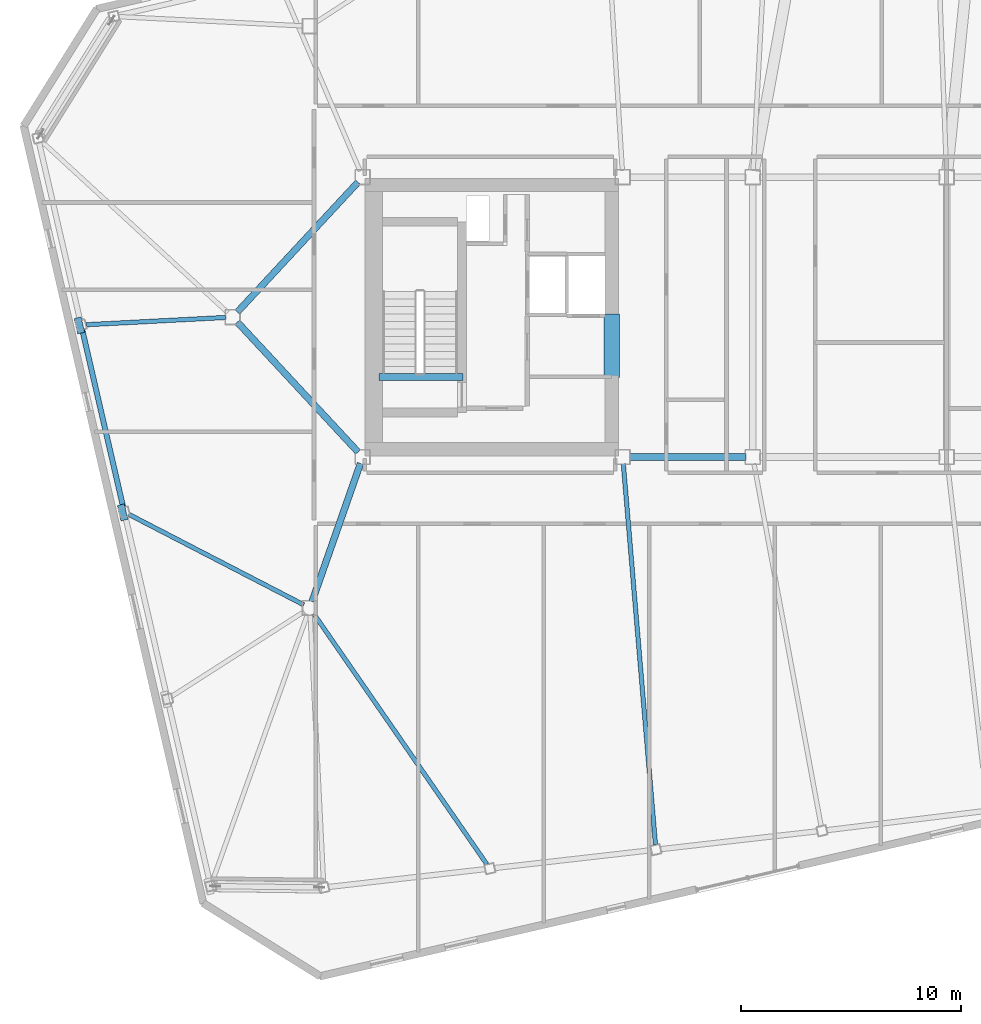
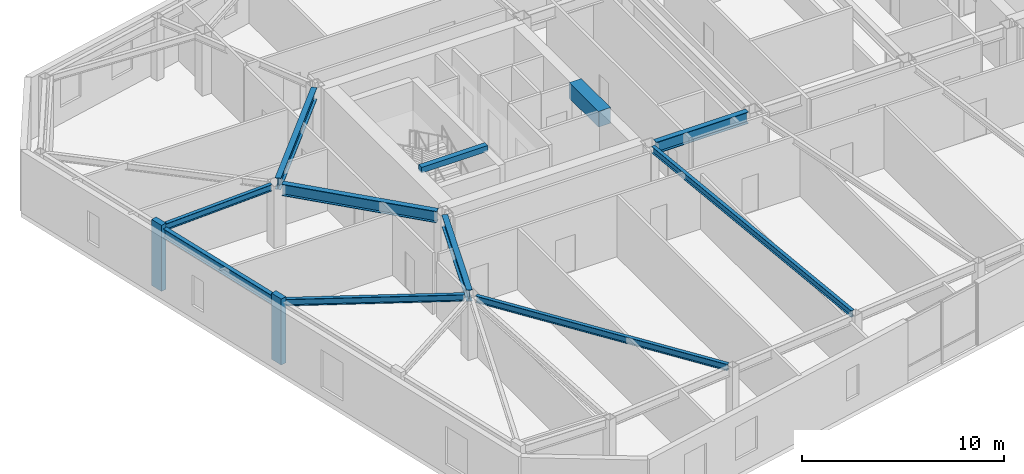
# One storey, part 7 of 24: 11 beams, 2 members.
"""IFC4 building model written with IfcOpenShell, lengths in metres."""

from ifc_helpers import new_model, si_unit, direction, frame, origin, origin_2d, place, context, subcontext, project, spatial, rectangle, i_section, extrude, material, material_profile, profile_set, type_object, element, save


model = new_model("IFC4")

# Units and contexts
model_context = context("Model", 3, precision=1e-05, world=origin(), true_north=direction((0.0, 1.0)))
body_context = subcontext(model_context, "Body", "Model", "MODEL_VIEW")
ifc_project = project(units=[si_unit("LENGTHUNIT", "METRE"), si_unit("AREAUNIT", "SQUARE_METRE"), si_unit("VOLUMEUNIT", "CUBIC_METRE"), si_unit("PLANEANGLEUNIT", "RADIAN"), si_unit("MASSUNIT", "GRAM", prefix="KILO")], contexts=[model_context])

# Site, building, storey
site_placement = place(None, origin())
site = spatial("IfcSite", under=ifc_project, at=site_placement, CompositionType="ELEMENT")
building_placement = place(site_placement, origin())
building = spatial("IfcBuilding", under=site, at=building_placement, Name="Tavrogorsk Clinical Tower", CompositionType="ELEMENT")
storey_placement = place(building_placement, frame((0.0, 0.0, 309.0)))
storey = spatial("IfcBuildingStorey", under=building, at=storey_placement, Name="L72", CompositionType="ELEMENT", Elevation=309.0)

# Beams
ifc_material_1 = material(Name="Concrete B80", Category="concrete")
ifc_material_profile_1 = material_profile(ifc_material_1, rectangle(XDim=0.699951171875, YDim=0.949951171875, at=origin_2d()), Name="RC-CB-700x950")
ifc_profile_set_1 = profile_set([ifc_material_profile_1], Name="Concrete B80")
beam_type_1 = type_object("IfcBeamType", Name="CouplingBeam_RC700x950", PredefinedType="LINTEL", material=ifc_profile_set_1)
beam_1_placement = place(storey_placement, frame((-10.800048828125, -2.75, 3.264892578125), z_axis=(0.0, 1.0, 0.0), x_axis=(-1.0, 0.0, 0.0)))
element("IfcBeam", 1, at=beam_1_placement, inside=storey, type_object=beam_type_1, Name="L72 Core West Coupling Beam", PredefinedType="LINTEL", context=body_context, shape_type="SweptSolid", body=[
    extrude(rectangle(XDim=0.699951171875, YDim=0.949951171875, at=origin_2d()), origin(), (0.0, 0.0, 1.0), 2.89990234375),
])
ifc_material_2 = material(Name="Structural steel S355", Category="steel")
ifc_material_profile_2 = material_profile(ifc_material_2, i_section(OverallWidth=0.199951171875, OverallDepth=0.39990234375, WebThickness=0.010498046875, FlangeThickness=0.01611328125, at=origin_2d()), Name="B-400x200x10.5x16")
ifc_profile_set_2 = profile_set([ifc_material_profile_2], Name="Structural steel S355")
beam_type_2 = type_object("IfcBeamType", Name="FloorBeam_B400", PredefinedType="BEAM", material=ifc_profile_set_2)
beam_2_placement = place(storey_placement, frame((-24.32373046875, -13.455078125, 3.5400390625), z_axis=(0.568335848504, -0.82279667191, 0.0), x_axis=(0.82279667191, 0.568335848504, 0.0)))
element("IfcBeam", 2, at=beam_2_placement, inside=storey, type_object=beam_type_2, Name="L72 Radial Floor Beam S2", PredefinedType="BEAM", context=body_context, shape_type="SweptSolid", body=[
    extrude(i_section(OverallWidth=0.199951171875, OverallDepth=0.39990234375, WebThickness=0.010498046875, FlangeThickness=0.01611328125, at=origin_2d()), origin(), (0.0, 0.0, 1.0), 13.831298828125),
])
beam_3_placement = place(storey_placement, frame((-10.27392578125, -6.658935546875, 3.5400390625), z_axis=(0.084215365049, -0.996447576288, 0.0), x_axis=(0.996447576288, 0.084215365049, 0.0)))
element("IfcBeam", 3, at=beam_3_placement, inside=storey, type_object=beam_type_2, Name="L72 Radial Floor Beam S3", PredefinedType="BEAM", context=body_context, shape_type="SweptSolid", body=[
    extrude(i_section(OverallWidth=0.199951171875, OverallDepth=0.39990234375, WebThickness=0.010498046875, FlangeThickness=0.01611328125, at=origin_2d()), origin(), (0.0, 0.0, 1.0), 17.3388671875),
])
beam_4_placement = place(storey_placement, frame((-28.3095703125, -0.01611328125, 3.5400390625), z_axis=(-0.99864101713, -0.052116397656, 0.0), x_axis=(0.052116397656, -0.99864101713, 0.0)))
element("IfcBeam", 4, at=beam_4_placement, inside=storey, type_object=beam_type_2, Name="L72 Radial Floor Beam W2", PredefinedType="BEAM", context=body_context, shape_type="SweptSolid", body=[
    extrude(i_section(OverallWidth=0.199951171875, OverallDepth=0.39990234375, WebThickness=0.010498046875, FlangeThickness=0.01611328125, at=origin_2d()), origin(), (0.0, 0.0, 1.0), 6.3427734375),
])
beam_5_placement = place(storey_placement, frame((-24.775390625, -13.0576171875, 3.5400390625), z_axis=(-0.888188417157, 0.459479418069, 0.0), x_axis=(-0.459479418069, -0.888188417157, 0.0)))
element("IfcBeam", 5, at=beam_5_placement, inside=storey, type_object=beam_type_2, Name="L72 Radial Floor Beam W3", PredefinedType="BEAM", context=body_context, shape_type="SweptSolid", body=[
    extrude(i_section(OverallWidth=0.199951171875, OverallDepth=0.39990234375, WebThickness=0.010498046875, FlangeThickness=0.01611328125, at=origin_2d()), origin(), (0.0, 0.0, 1.0), 8.93408203125),
])

# Members
ifc_material_3 = material(Name="Precast concrete B45 with limestone cladding", Category="masonry")
ifc_material_profile_3 = material_profile(ifc_material_3, rectangle(XDim=0.320068359375, YDim=0.719970703125, at=origin_2d()), Name="LIMESTONE-FIN-320x720")
ifc_profile_set_3 = profile_set([ifc_material_profile_3], Name="Precast concrete B45 with limestone cladding")
member_type = type_object("IfcMemberType", Name="LimestonePleatFin_320x720", PredefinedType="USERDEFINED", material=ifc_profile_set_3)
for number, where, z_axis, x_axis, name in (
    (6, (-34.95458984375, -0.376708984375, 0.0), (0.0, 0.0, 1.0), (0.974370064785, 0.224951054344, 0.0), "L72 W Pleated Stone Fin 1"),
    (7, (-32.995361328125, -8.863525390625, 0.0), (0.0, 0.0, 1.0), (0.974370064785, 0.224951054344, 0.0), "L72 W Pleated Stone Fin 2"),
):
    element("IfcMember", number, at=place(storey_placement, frame(where, z_axis=z_axis, x_axis=x_axis)), inside=storey, type_object=member_type, Name=name, ObjectType="FIN", PredefinedType="USERDEFINED", context=body_context, shape_type="SweptSolid", body=[
        extrude(rectangle(XDim=0.320068359375, YDim=0.719970703125, at=origin_2d()), origin(), (0.0, 0.0, 1.0), 4.0),
    ])

# Beams
ifc_material_4 = material(Name="Structural steel S390", Category="steel")
ifc_material_profile_4 = material_profile(ifc_material_4, i_section(OverallWidth=0.300048828125, OverallDepth=0.699951171875, WebThickness=0.01708984375, FlangeThickness=0.028076171875, at=origin_2d()), Name="B-700x300x17x28")
ifc_profile_set_4 = profile_set([ifc_material_profile_4], Name="Structural steel S390")
beam_type_3 = type_object("IfcBeamType", Name="PrimaryGirder_B700", PredefinedType="USERDEFINED", material=ifc_profile_set_4)
beam_6_placement = place(storey_placement, frame((-9.989990234375, -6.35009765625, 3.389892578125), z_axis=(1.0, 0.0, 0.0), x_axis=(0.0, 1.0, 0.0)))
element("IfcBeam", 8, at=beam_6_placement, inside=storey, type_object=beam_type_3, Name="L72 Primary Spine Girder MG-01", ObjectType="GIRDER", PredefinedType="USERDEFINED", context=body_context, shape_type="SweptSolid", body=[
    extrude(i_section(OverallWidth=0.300048828125, OverallDepth=0.699951171875, WebThickness=0.01708984375, FlangeThickness=0.028076171875, at=origin_2d()), origin(), (0.0, 0.0, 1.0), 5.280029296875),
])
beam_7_placement = place(storey_placement, frame((-24.3974609375, -12.907470703125, 3.389892578125), z_axis=(0.330666578092, 0.943747643246, 0.0), x_axis=(-0.943747643246, 0.330666578092, 0.0)))
element("IfcBeam", 9, at=beam_7_placement, inside=storey, type_object=beam_type_3, Name="L72 Spine Link Girder OPG-1", ObjectType="GIRDER", PredefinedType="USERDEFINED", context=body_context, shape_type="SweptSolid", body=[
    extrude(i_section(OverallWidth=0.300048828125, OverallDepth=0.699951171875, WebThickness=0.01708984375, FlangeThickness=0.028076171875, at=origin_2d()), origin(), (0.0, 0.0, 1.0), 6.638427734375),
])
for number, where, z_axis, x_axis, name in (
    (10, (-27.7890625, -0.22705078125, 3.389892578125), (0.680677963005, -0.732582767119, 0.0), (0.732582767119, 0.680677963005, 0.0), "L72 Spine Link Girder OPG-5"),
    (11, (-27.7890625, 0.22705078125, 3.389892578125), (0.680677963005, 0.732582767119, 0.0), (-0.732582767119, 0.680677963005, 0.0), "L72 Spine Link Girder OPG-6"),
):
    element("IfcBeam", number, at=place(storey_placement, frame(where, z_axis=z_axis, x_axis=x_axis)), inside=storey, type_object=beam_type_3, Name=name, ObjectType="GIRDER", PredefinedType="USERDEFINED", context=body_context, shape_type="SweptSolid", body=[
        extrude(i_section(OverallWidth=0.300048828125, OverallDepth=0.699951171875, WebThickness=0.01708984375, FlangeThickness=0.028076171875, at=origin_2d()), origin(), (0.0, 0.0, 1.0), 8.0478515625),
    ])
ifc_material_5 = material(Name="Structural steel S390", Category="steel")
ifc_material_profile_5 = material_profile(ifc_material_5, i_section(OverallWidth=0.239990234375, OverallDepth=0.550048828125, WebThickness=0.013916015625, FlangeThickness=0.02197265625, at=origin_2d()), Name="B-550x240x14x22")
ifc_profile_set_5 = profile_set([ifc_material_profile_5], Name="Structural steel S390")
beam_type_4 = type_object("IfcBeamType", Name="SpandrelBeam_B550", PredefinedType="SPANDREL", material=ifc_profile_set_5)
beam_8_placement = place(storey_placement, frame((-34.82421875, -0.585693359375, 3.465087890625), z_axis=(0.224950345141, -0.974370228517, 0.0), x_axis=(0.974370228517, 0.224950345141, 0.0)))
element("IfcBeam", 12, at=beam_8_placement, inside=storey, type_object=beam_type_4, Name="L72 Perimeter Spandrel W2-W3", PredefinedType="SPANDREL", context=body_context, shape_type="SweptSolid", body=[
    extrude(i_section(OverallWidth=0.239990234375, OverallDepth=0.550048828125, WebThickness=0.013916015625, FlangeThickness=0.02197265625, at=origin_2d()), origin(), (0.0, 0.0, 1.0), 8.243896484375),
])
ifc_material_6 = material(Name="Concrete B60", Category="concrete")
ifc_material_profile_6 = material_profile(ifc_material_6, rectangle(XDim=0.300048828125, YDim=0.35009765625, at=origin_2d()), Name="RC-SHB-300x350")
ifc_profile_set_6 = profile_set([ifc_material_profile_6], Name="Concrete B60")
beam_type_5 = type_object("IfcBeamType", Name="StairHeaderBeam_RC300x350", PredefinedType="BEAM", material=ifc_profile_set_6)
beam_9_placement = place(storey_placement, frame((-21.35009765625, -2.719970703125, 3.824951171875), z_axis=(1.0, 0.0, 0.0), x_axis=(0.0, 1.0, 0.0)))
element("IfcBeam", 13, at=beam_9_placement, inside=storey, type_object=beam_type_5, Name="L73 ST-W Landing Header Beam", PredefinedType="BEAM", context=body_context, shape_type="SweptSolid", body=[
    extrude(rectangle(XDim=0.300048828125, YDim=0.35009765625, at=origin_2d()), origin(), (0.0, 0.0, 1.0), 3.800048828125),
])

save(model, "model.ifc")
